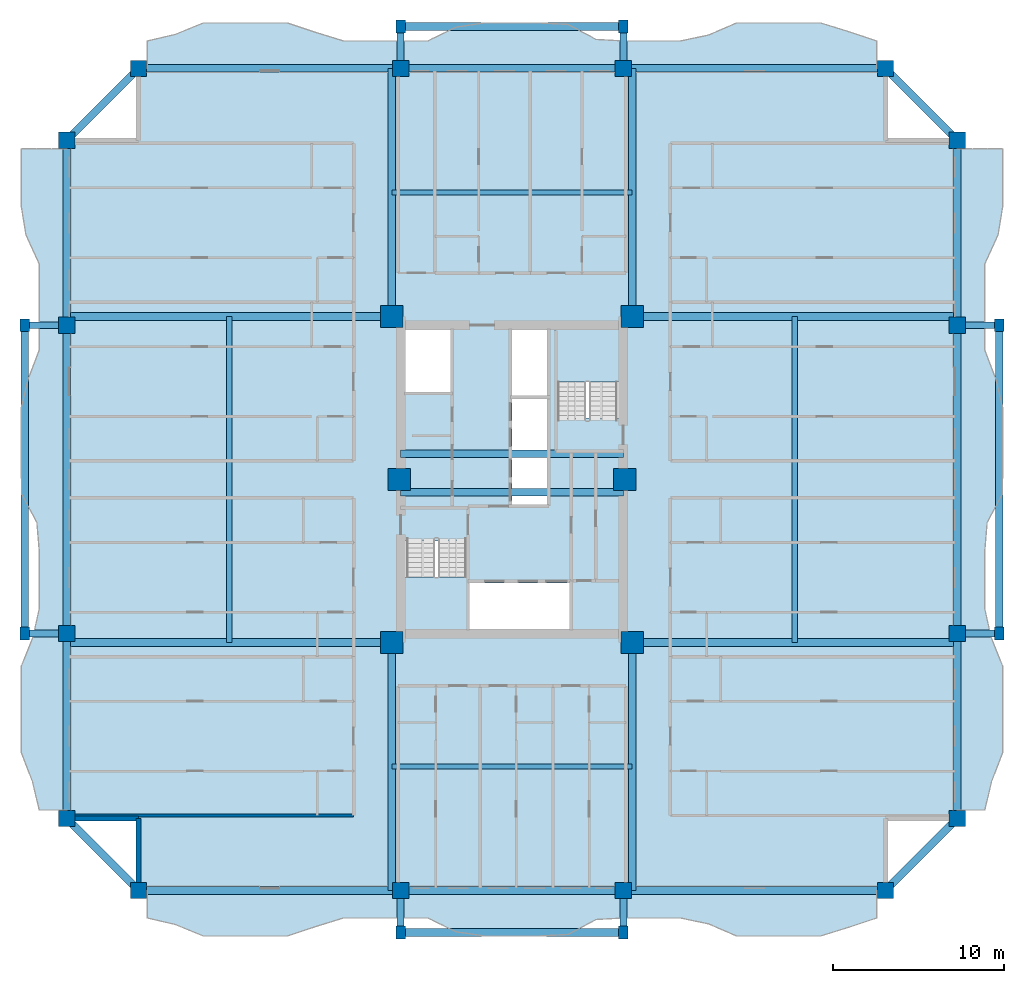
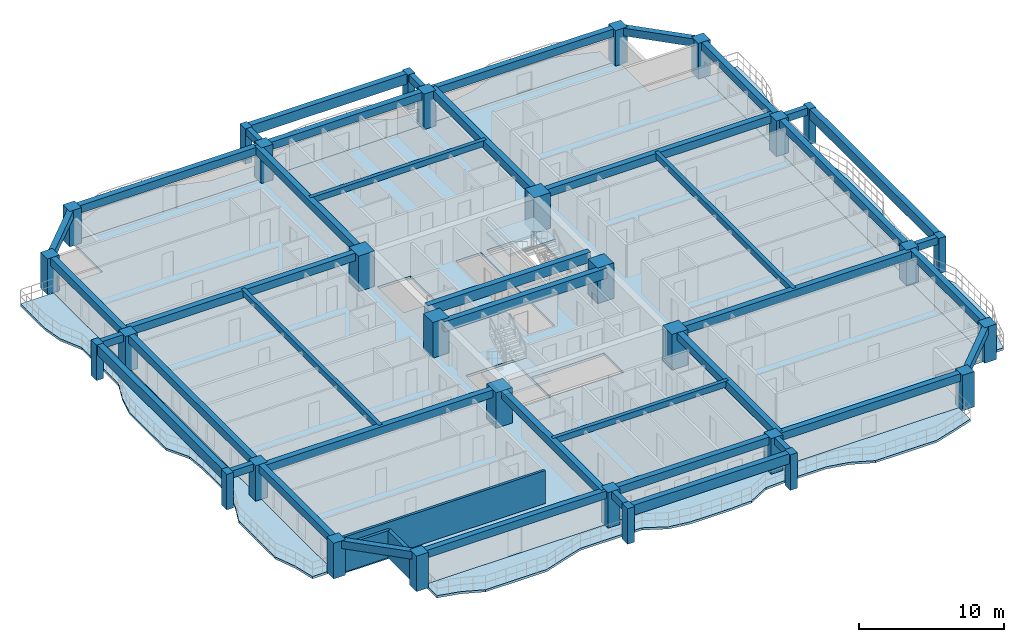
# One storey, part 1 of 13: 42 beams, 30 columns, 7 slabs, 3 walls, 2 elements without a shape of their own.
"""IFC4 building model written with IfcOpenShell, lengths in metres."""

from ifc_helpers import new_model, si_unit, direction, frame, frame_2d, origin, origin_2d, place, context, subcontext, project, spatial, polyline, rectangle, outline, extrude, source, transform, mapped, material, layer, layer_set, material_profile, profile_set, type_object, element, aggregate, save


model = new_model("IFC4")

# Units and contexts
model_context = context("Model", 3, precision=1e-05, world=origin(), true_north=direction((0.0, 1.0)))
body_context = subcontext(model_context, "Body", "Model", "MODEL_VIEW")
ifc_project = project(units=[si_unit("LENGTHUNIT", "METRE"), si_unit("AREAUNIT", "SQUARE_METRE"), si_unit("VOLUMEUNIT", "CUBIC_METRE"), si_unit("PLANEANGLEUNIT", "RADIAN"), si_unit("MASSUNIT", "GRAM", prefix="KILO")], contexts=[model_context])

# Site, building, storey
site_placement = place(None, origin())
site = spatial("IfcSite", under=ifc_project, at=site_placement, CompositionType="ELEMENT")
building_placement = place(site_placement, origin())
building = spatial("IfcBuilding", under=site, at=building_placement, Name="Saelheon Loggia Tower", CompositionType="ELEMENT")
storey_placement = place(building_placement, frame((0.0, 0.0, 110.85009765625)))
storey = spatial("IfcBuildingStorey", under=building, at=storey_placement, Name="L35", CompositionType="ELEMENT", Elevation=110.85009765625)

# Columns
ifc_material_1 = material(Name="Precast Concrete C45/55", Category="concrete")
ifc_material_profile_1 = material_profile(ifc_material_1, rectangle(XDim=0.550048828125, YDim=0.75, at=origin_2d()), Name="RC-550x750")
ifc_profile_set_1 = profile_set([ifc_material_profile_1], Name="Precast Concrete C45/55")
column_type_1 = type_object("IfcColumnType", Name="Col_Loggia_Pilaster_750", PredefinedType="PILASTER", material=ifc_profile_set_1)
shared_shape_1 = source(origin(), body_context, "Body", "SweptSolid", [
    extrude(rectangle(XDim=0.550048828125, YDim=0.75, at=origin_2d()), origin(), (0.0, 0.0, 1.0), 3.0),
])
for number, where, z_axis, x_axis, name in (
    (1, (31.5, 0.550048828125, 0.0), (0.0, 0.0, 1.0), (1.0, 0.0, 0.0), "L35 Loggia Frame Pilaster LP-S1"),
    (2, (44.5, 0.550048828125, 0.0), (0.0, 0.0, 1.0), (1.0, 0.0, 0.0), "L35 Loggia Frame Pilaster LP-S2"),
    (3, (31.5, 53.449951171875, 0.0), (0.0, 0.0, 1.0), (1.0, 0.0, 0.0), "L35 Loggia Frame Pilaster LP-N1"),
    (4, (44.5, 53.449951171875, 0.0), (0.0, 0.0, 1.0), (1.0, 0.0, 0.0), "L35 Loggia Frame Pilaster LP-N2"),
    (5, (66.449951171875, 18.0, 0.0), (0.0, 0.0, 1.0), (1.0, 0.0, 0.0), "L35 Loggia Frame Pilaster LP-E1"),
    (6, (66.449951171875, 36.0, 0.0), (0.0, 0.0, 1.0), (1.0, 0.0, 0.0), "L35 Loggia Frame Pilaster LP-E2"),
    (7, (9.550048828125, 18.0, 0.0), (0.0, 0.0, 1.0), (1.0, 0.0, 0.0), "L35 Loggia Frame Pilaster LP-W1"),
    (8, (9.550048828125, 36.0, 0.0), (0.0, 0.0, 1.0), (1.0, 0.0, 0.0), "L35 Loggia Frame Pilaster LP-W2"),
):
    element("IfcColumn", number, at=place(storey_placement, frame(where, z_axis=z_axis, x_axis=x_axis)), inside=storey, type_object=column_type_1, Name=name, PredefinedType="PILASTER", context=body_context, shape_type="MappedRepresentation", body=[
        mapped(shared_shape_1, transform((0.0, 0.0, 0.0), scale=1.0)),
    ])
ifc_material_2 = material(Name="Concrete C60/75", Category="concrete")
ifc_material_profile_2 = material_profile(ifc_material_2, rectangle(XDim=1.300048828125, YDim=1.300048828125, at=origin_2d()), Name="RC-1300x1300")
ifc_profile_set_2 = profile_set([ifc_material_profile_2], Name="Concrete C60/75")
column_type_2 = type_object("IfcColumnType", Name="Col_Core_RC1300", PredefinedType="COLUMN", material=ifc_profile_set_2)
shared_shape_2 = source(origin(), body_context, "Body", "SweptSolid", [
    extrude(rectangle(XDim=1.300048828125, YDim=1.300048828125, at=origin_2d()), origin(), (0.0, 0.0, 1.0), 3.0),
])
for number, where, z_axis, x_axis, name in (
    (9, (30.97998046875, 17.47998046875, 0.0), (0.0, 0.0, 1.0), (1.0, 0.0, 0.0), "L35 Core Column CR-SW"),
    (10, (45.02001953125, 17.47998046875, 0.0), (0.0, 0.0, 1.0), (1.0, 0.0, 0.0), "L35 Core Column CR-SE"),
    (11, (30.97998046875, 36.52001953125, 0.0), (0.0, 0.0, 1.0), (1.0, 0.0, 0.0), "L35 Core Column CR-NW"),
    (12, (45.02001953125, 36.52001953125, 0.0), (0.0, 0.0, 1.0), (1.0, 0.0, 0.0), "L35 Core Column CR-NE"),
    (13, (31.419921875, 27.0, 0.0), (0.0, 0.0, 1.0), (1.0, 0.0, 0.0), "L35 Core Column CR-MW"),
    (14, (44.580078125, 27.0, 0.0), (0.0, 0.0, 1.0), (1.0, 0.0, 0.0), "L35 Core Column CR-ME"),
):
    element("IfcColumn", number, at=place(storey_placement, frame(where, z_axis=z_axis, x_axis=x_axis)), inside=storey, type_object=column_type_2, Name=name, PredefinedType="COLUMN", context=body_context, shape_type="MappedRepresentation", body=[
        mapped(shared_shape_2, transform((0.0, 0.0, 0.0), scale=1.0)),
    ])
ifc_material_3 = material(Name="Concrete C50/60", Category="concrete")
ifc_material_profile_3 = material_profile(ifc_material_3, rectangle(XDim=0.949951171875, YDim=0.949951171875, at=origin_2d()), Name="RC-950x950")
ifc_profile_set_3 = profile_set([ifc_material_profile_3], Name="Concrete C50/60")
column_type_3 = type_object("IfcColumnType", Name="Col_Perim_RC950", PredefinedType="COLUMN", material=ifc_profile_set_3)
shared_shape_3 = source(origin(), body_context, "Body", "SweptSolid", [
    extrude(rectangle(XDim=0.949951171875, YDim=0.949951171875, at=origin_2d()), origin(), (0.0, 0.0, 1.0), 3.0),
])
for number, where, z_axis, x_axis, name in (
    (15, (16.199951171875, 3.0, 0.0), (0.0, 0.0, 1.0), (1.0, 0.0, 0.0), "L35 Perimeter Column TP-S1"),
    (16, (31.5, 3.0, 0.0), (0.0, 0.0, 1.0), (1.0, 0.0, 0.0), "L35 Perimeter Column TP-SA"),
    (17, (44.5, 3.0, 0.0), (0.0, 0.0, 1.0), (1.0, 0.0, 0.0), "L35 Perimeter Column TP-SB"),
    (18, (59.800048828125, 3.0, 0.0), (0.0, 0.0, 1.0), (1.0, 0.0, 0.0), "L35 Perimeter Column TP-S2"),
    (19, (64.0, 7.199951171875, 0.0), (0.0, 0.0, 1.0), (1.0, 0.0, 0.0), "L35 Perimeter Column TP-E1"),
    (20, (64.0, 18.0, 0.0), (0.0, 0.0, 1.0), (1.0, 0.0, 0.0), "L35 Perimeter Column TP-EA"),
    (21, (64.0, 36.0, 0.0), (0.0, 0.0, 1.0), (1.0, 0.0, 0.0), "L35 Perimeter Column TP-EB"),
    (22, (64.0, 46.800048828125, 0.0), (0.0, 0.0, 1.0), (1.0, 0.0, 0.0), "L35 Perimeter Column TP-E2"),
    (23, (59.800048828125, 51.0, 0.0), (0.0, 0.0, 1.0), (1.0, 0.0, 0.0), "L35 Perimeter Column TP-N2"),
    (24, (44.5, 51.0, 0.0), (0.0, 0.0, 1.0), (1.0, 0.0, 0.0), "L35 Perimeter Column TP-NB"),
    (25, (31.5, 51.0, 0.0), (0.0, 0.0, 1.0), (1.0, 0.0, 0.0), "L35 Perimeter Column TP-NA"),
    (26, (16.199951171875, 51.0, 0.0), (0.0, 0.0, 1.0), (1.0, 0.0, 0.0), "L35 Perimeter Column TP-N1"),
    (27, (12.0, 46.800048828125, 0.0), (0.0, 0.0, 1.0), (1.0, 0.0, 0.0), "L35 Perimeter Column TP-W2"),
    (28, (12.0, 36.0, 0.0), (0.0, 0.0, 1.0), (1.0, 0.0, 0.0), "L35 Perimeter Column TP-WB"),
    (29, (12.0, 18.0, 0.0), (0.0, 0.0, 1.0), (1.0, 0.0, 0.0), "L35 Perimeter Column TP-WA"),
    (30, (12.0, 7.199951171875, 0.0), (0.0, 0.0, 1.0), (1.0, 0.0, 0.0), "L35 Perimeter Column TP-W1"),
):
    element("IfcColumn", number, at=place(storey_placement, frame(where, z_axis=z_axis, x_axis=x_axis)), inside=storey, type_object=column_type_3, Name=name, PredefinedType="COLUMN", context=body_context, shape_type="MappedRepresentation", body=[
        mapped(shared_shape_3, transform((0.0, 0.0, 0.0), scale=1.0)),
    ])

# Beams
ifc_material_profile_4 = material_profile(ifc_material_3, rectangle(XDim=0.449951171875, YDim=0.85009765625, at=origin_2d()), Name="RC-450x850")
ifc_profile_set_4 = profile_set([ifc_material_profile_4], Name="Concrete C50/60")
beam_type_1 = type_object("IfcBeamType", Name="Beam_CoreLintel_RC450x850", PredefinedType="LINTEL", material=ifc_profile_set_4)
shared_shape_4 = source(origin(), body_context, "Body", "SweptSolid", [
    extrude(rectangle(XDim=0.449951171875, YDim=0.85009765625, at=origin_2d()), origin(), (0.0, 0.0, 1.0), 13.0),
])
for number, where, z_axis, x_axis, name in (
    (31, (31.5, 26.25, 2.574951171875), (1.0, 0.0, 0.0), (0.0, 1.0, 0.0), "L35 Core Coupling Lintel 1"),
    (32, (31.5, 28.5, 2.574951171875), (1.0, 0.0, 0.0), (0.0, 1.0, 0.0), "L35 Core Coupling Lintel 2"),
):
    element("IfcBeam", number, at=place(storey_placement, frame(where, z_axis=z_axis, x_axis=x_axis)), inside=storey, type_object=beam_type_1, Name=name, PredefinedType="LINTEL", context=body_context, shape_type="MappedRepresentation", body=[
        mapped(shared_shape_4, transform((0.0, 0.0, 0.0), scale=1.0)),
    ])
ifc_material_profile_5 = material_profile(ifc_material_1, rectangle(XDim=0.449951171875, YDim=0.85009765625, at=origin_2d()), Name="RC-450x850")
ifc_profile_set_5 = profile_set([ifc_material_profile_5], Name="Precast Concrete C45/55")
beam_type_2 = type_object("IfcBeamType", Name="Beam_LoggiaSpandrel_RC450x850", PredefinedType="SPANDREL", material=ifc_profile_set_5)
for number, where, z_axis, x_axis, name in (
    (33, (31.5, 0.550048828125, 2.574951171875), (1.0, 0.0, 0.0), (0.0, 1.0, 0.0), "L35 Loggia Spandrel Beam S"),
    (34, (31.5, 53.449951171875, 2.574951171875), (1.0, 0.0, 0.0), (0.0, 1.0, 0.0), "L35 Loggia Spandrel Beam N"),
):
    element("IfcBeam", number, at=place(storey_placement, frame(where, z_axis=z_axis, x_axis=x_axis)), inside=storey, type_object=beam_type_2, Name=name, PredefinedType="SPANDREL", context=body_context, shape_type="MappedRepresentation", body=[
        mapped(shared_shape_4, transform((0.0, 0.0, 0.0), scale=1.0)),
    ])
ifc_material_profile_6 = material_profile(ifc_material_1, rectangle(XDim=0.39990234375, YDim=0.60009765625, at=origin_2d()), Name="RC-400x600")
ifc_profile_set_6 = profile_set([ifc_material_profile_6], Name="Precast Concrete C45/55")
beam_type_3 = type_object("IfcBeamType", Name="Beam_LoggiaTie_RC400x600", PredefinedType="BEAM", material=ifc_profile_set_6)
shared_shape_5 = source(origin(), body_context, "Body", "SweptSolid", [
    extrude(rectangle(XDim=0.39990234375, YDim=0.60009765625, at=origin_2d()), origin(), (0.0, 0.0, 1.0), 2.449951171875),
])
for number, where, z_axis, x_axis, name in (
    (35, (31.5, 3.0, 2.699951171875), (0.0, -1.0, 0.0), (1.0, 0.0, 0.0), "L35 Loggia Frame Tie Beam LP-S1"),
    (36, (44.5, 3.0, 2.699951171875), (0.0, -1.0, 0.0), (1.0, 0.0, 0.0), "L35 Loggia Frame Tie Beam LP-S2"),
    (37, (31.5, 51.0, 2.699951171875), (0.0, 1.0, 0.0), (-1.0, 0.0, 0.0), "L35 Loggia Frame Tie Beam LP-N1"),
    (38, (44.5, 51.0, 2.699951171875), (0.0, 1.0, 0.0), (-1.0, 0.0, 0.0), "L35 Loggia Frame Tie Beam LP-N2"),
    (39, (64.0, 18.0, 2.699951171875), (1.0, 0.0, 0.0), (0.0, 1.0, 0.0), "L35 Loggia Frame Tie Beam LP-E1"),
    (40, (64.0, 36.0, 2.699951171875), (1.0, 0.0, 0.0), (0.0, 1.0, 0.0), "L35 Loggia Frame Tie Beam LP-E2"),
    (41, (12.0, 18.0, 2.699951171875), (-1.0, 0.0, 0.0), (0.0, -1.0, 0.0), "L35 Loggia Frame Tie Beam LP-W1"),
    (42, (12.0, 36.0, 2.699951171875), (-1.0, 0.0, 0.0), (0.0, -1.0, 0.0), "L35 Loggia Frame Tie Beam LP-W2"),
):
    element("IfcBeam", number, at=place(storey_placement, frame(where, z_axis=z_axis, x_axis=x_axis)), inside=storey, type_object=beam_type_3, Name=name, PredefinedType="BEAM", context=body_context, shape_type="MappedRepresentation", body=[
        mapped(shared_shape_5, transform((0.0, 0.0, 0.0), scale=1.0)),
    ])
shared_shape_6 = source(origin(), body_context, "Body", "SweptSolid", [
    extrude(rectangle(XDim=0.449951171875, YDim=0.85009765625, at=origin_2d()), origin(), (0.0, 0.0, 1.0), 18.0),
])
for number, where, z_axis, x_axis, name in (
    (43, (66.449951171875, 18.0, 2.574951171875), (0.0, 1.0, 0.0), (-1.0, 0.0, 0.0), "L35 Loggia Spandrel Beam E"),
    (44, (9.550048828125, 18.0, 2.574951171875), (0.0, 1.0, 0.0), (-1.0, 0.0, 0.0), "L35 Loggia Spandrel Beam W"),
):
    element("IfcBeam", number, at=place(storey_placement, frame(where, z_axis=z_axis, x_axis=x_axis)), inside=storey, type_object=beam_type_2, Name=name, PredefinedType="SPANDREL", context=body_context, shape_type="MappedRepresentation", body=[
        mapped(shared_shape_6, transform((0.0, 0.0, 0.0), scale=1.0)),
    ])
ifc_material_4 = material(Name="Concrete C40/50", Category="concrete")
ifc_material_profile_7 = material_profile(ifc_material_4, rectangle(XDim=0.449951171875, YDim=0.64990234375, at=origin_2d()), Name="RC-450x650")
ifc_profile_set_7 = profile_set([ifc_material_profile_7], Name="Concrete C40/50")
beam_type_4 = type_object("IfcBeamType", Name="Beam_PerimTower_RC450x650", PredefinedType="BEAM", material=ifc_profile_set_7)
shared_shape_7 = source(origin(), body_context, "Body", "SweptSolid", [
    extrude(rectangle(XDim=0.449951171875, YDim=0.64990234375, at=origin_2d()), origin(), (0.0, 0.0, 1.0), 15.300048828125),
])
for number, where, z_axis, x_axis, name in (
    (45, (16.199951171875, 3.0, 2.6748046875), (1.0, 0.0, 0.0), (0.0, 1.0, 0.0), "L35 Perimeter Frame Girder 01"),
    (46, (44.5, 3.0, 2.6748046875), (1.0, 0.0, 0.0), (0.0, 1.0, 0.0), "L35 Perimeter Frame Girder 03"),
    (47, (59.800048828125, 51.0, 2.6748046875), (-1.0, 0.0, 0.0), (0.0, -1.0, 0.0), "L35 Perimeter Frame Girder 09"),
    (48, (31.5, 51.0, 2.6748046875), (-1.0, 0.0, 0.0), (0.0, -1.0, 0.0), "L35 Perimeter Frame Girder 11"),
):
    element("IfcBeam", number, at=place(storey_placement, frame(where, z_axis=z_axis, x_axis=x_axis)), inside=storey, type_object=beam_type_4, Name=name, PredefinedType="BEAM", context=body_context, shape_type="MappedRepresentation", body=[
        mapped(shared_shape_7, transform((0.0, 0.0, 0.0), scale=1.0)),
    ])
shared_shape_8 = source(origin(), body_context, "Body", "SweptSolid", [
    extrude(rectangle(XDim=0.449951171875, YDim=0.64990234375, at=origin_2d()), origin(), (0.0, 0.0, 1.0), 13.0),
])
for number, where, z_axis, x_axis, name in (
    (49, (31.5, 3.0, 2.6748046875), (1.0, 0.0, 0.0), (0.0, 1.0, 0.0), "L35 Perimeter Frame Girder 02"),
    (50, (44.5, 51.0, 2.6748046875), (-1.0, 0.0, 0.0), (0.0, -1.0, 0.0), "L35 Perimeter Frame Girder 10"),
):
    element("IfcBeam", number, at=place(storey_placement, frame(where, z_axis=z_axis, x_axis=x_axis)), inside=storey, type_object=beam_type_4, Name=name, PredefinedType="BEAM", context=body_context, shape_type="MappedRepresentation", body=[
        mapped(shared_shape_8, transform((0.0, 0.0, 0.0), scale=1.0)),
    ])
shared_shape_9 = source(origin(), body_context, "Body", "SweptSolid", [
    extrude(rectangle(XDim=0.449951171875, YDim=0.64990234375, at=origin_2d()), origin(), (0.0, 0.0, 1.0), 5.939697265625),
])
for number, where, z_axis, x_axis, name in (
    (51, (59.800048828125, 3.0, 2.6748046875), (0.707106781187, 0.707106781187, 0.0), (-0.707106781187, 0.707106781187, 0.0), "L35 Perimeter Frame Girder 04"),
    (52, (64.0, 46.800048828125, 2.6748046875), (-0.707106781187, 0.707106781187, 0.0), (-0.707106781187, -0.707106781187, 0.0), "L35 Perimeter Frame Girder 08"),
    (53, (16.199951171875, 51.0, 2.6748046875), (-0.707106781187, -0.707106781187, 0.0), (0.707106781187, -0.707106781187, 0.0), "L35 Perimeter Frame Girder 12"),
    (54, (12.0, 7.199951171875, 2.6748046875), (0.707106781187, -0.707106781187, 0.0), (0.707106781187, 0.707106781187, 0.0), "L35 Perimeter Frame Girder 16"),
):
    element("IfcBeam", number, at=place(storey_placement, frame(where, z_axis=z_axis, x_axis=x_axis)), inside=storey, type_object=beam_type_4, Name=name, PredefinedType="BEAM", context=body_context, shape_type="MappedRepresentation", body=[
        mapped(shared_shape_9, transform((0.0, 0.0, 0.0), scale=1.0)),
    ])
shared_shape_10 = source(origin(), body_context, "Body", "SweptSolid", [
    extrude(rectangle(XDim=0.449951171875, YDim=0.64990234375, at=origin_2d()), origin(), (0.0, 0.0, 1.0), 10.800048828125),
])
for number, where, z_axis, x_axis, name in (
    (55, (64.0, 7.199951171875, 2.6748046875), (0.0, 1.0, 0.0), (-1.0, 0.0, 0.0), "L35 Perimeter Frame Girder 05"),
    (56, (64.0, 36.0, 2.6748046875), (0.0, 1.0, 0.0), (-1.0, 0.0, 0.0), "L35 Perimeter Frame Girder 07"),
    (57, (12.0, 46.800048828125, 2.6748046875), (0.0, -1.0, 0.0), (1.0, 0.0, 0.0), "L35 Perimeter Frame Girder 13"),
    (58, (12.0, 18.0, 2.6748046875), (0.0, -1.0, 0.0), (1.0, 0.0, 0.0), "L35 Perimeter Frame Girder 15"),
):
    element("IfcBeam", number, at=place(storey_placement, frame(where, z_axis=z_axis, x_axis=x_axis)), inside=storey, type_object=beam_type_4, Name=name, PredefinedType="BEAM", context=body_context, shape_type="MappedRepresentation", body=[
        mapped(shared_shape_10, transform((0.0, 0.0, 0.0), scale=1.0)),
    ])
shared_shape_11 = source(origin(), body_context, "Body", "SweptSolid", [
    extrude(rectangle(XDim=0.449951171875, YDim=0.64990234375, at=origin_2d()), origin(), (0.0, 0.0, 1.0), 18.0),
])
for number, where, z_axis, x_axis, name in (
    (59, (64.0, 18.0, 2.6748046875), (0.0, 1.0, 0.0), (-1.0, 0.0, 0.0), "L35 Perimeter Frame Girder 06"),
    (60, (12.0, 36.0, 2.6748046875), (0.0, -1.0, 0.0), (1.0, 0.0, 0.0), "L35 Perimeter Frame Girder 14"),
):
    element("IfcBeam", number, at=place(storey_placement, frame(where, z_axis=z_axis, x_axis=x_axis)), inside=storey, type_object=beam_type_4, Name=name, PredefinedType="BEAM", context=body_context, shape_type="MappedRepresentation", body=[
        mapped(shared_shape_11, transform((0.0, 0.0, 0.0), scale=1.0)),
    ])
ifc_material_profile_8 = material_profile(ifc_material_4, rectangle(XDim=0.449951171875, YDim=0.64990234375, at=origin_2d()), Name="RC-450x650")
ifc_profile_set_8 = profile_set([ifc_material_profile_8], Name="Concrete C40/50")
beam_type_5 = type_object("IfcBeamType", Name="Beam_TowerGirder_RC450x650", PredefinedType="BEAM", material=ifc_profile_set_8)
shared_shape_12 = source(origin(), body_context, "Body", "SweptSolid", [
    extrude(rectangle(XDim=0.449951171875, YDim=0.64990234375, at=origin_2d()), origin(), (0.0, 0.0, 1.0), 14.47998046875),
])
for number, where, z_axis, x_axis, name in (
    (61, (30.97998046875, 17.47998046875, 2.6748046875), (0.0, -1.0, 0.0), (1.0, 0.0, 0.0), "L35 Radial Floor Girder RAD-SW-S"),
    (62, (45.02001953125, 17.47998046875, 2.6748046875), (0.0, -1.0, 0.0), (1.0, 0.0, 0.0), "L35 Radial Floor Girder RAD-SE-S"),
    (63, (30.97998046875, 36.52001953125, 2.6748046875), (0.0, 1.0, 0.0), (-1.0, 0.0, 0.0), "L35 Radial Floor Girder RAD-NW-N"),
    (64, (45.02001953125, 36.52001953125, 2.6748046875), (0.0, 1.0, 0.0), (-1.0, 0.0, 0.0), "L35 Radial Floor Girder RAD-NE-N"),
):
    element("IfcBeam", number, at=place(storey_placement, frame(where, z_axis=z_axis, x_axis=x_axis)), inside=storey, type_object=beam_type_5, Name=name, PredefinedType="BEAM", context=body_context, shape_type="MappedRepresentation", body=[
        mapped(shared_shape_12, transform((0.0, 0.0, 0.0), scale=1.0)),
    ])
shared_shape_13 = source(origin(), body_context, "Body", "SweptSolid", [
    extrude(rectangle(XDim=0.449951171875, YDim=0.64990234375, at=origin_2d()), origin(), (0.0, 0.0, 1.0), 18.97998046875),
])
for number, where, z_axis, x_axis, name in (
    (65, (30.97998046875, 17.47998046875, 2.6748046875), (-1.0, 0.0, 0.0), (0.0, -1.0, 0.0), "L35 Radial Floor Girder RAD-SW-W"),
    (66, (30.97998046875, 36.52001953125, 2.6748046875), (-1.0, 0.0, 0.0), (0.0, -1.0, 0.0), "L35 Radial Floor Girder RAD-NW-W"),
    (67, (45.02001953125, 17.47998046875, 2.6748046875), (1.0, 0.0, 0.0), (0.0, 1.0, 0.0), "L35 Radial Floor Girder RAD-SE-E"),
    (68, (45.02001953125, 36.52001953125, 2.6748046875), (1.0, 0.0, 0.0), (0.0, 1.0, 0.0), "L35 Radial Floor Girder RAD-NE-E"),
):
    element("IfcBeam", number, at=place(storey_placement, frame(where, z_axis=z_axis, x_axis=x_axis)), inside=storey, type_object=beam_type_5, Name=name, PredefinedType="BEAM", context=body_context, shape_type="MappedRepresentation", body=[
        mapped(shared_shape_13, transform((0.0, 0.0, 0.0), scale=1.0)),
    ])
ifc_material_profile_9 = material_profile(ifc_material_4, rectangle(XDim=0.300048828125, YDim=0.5, at=origin_2d()), Name="RC-300x500")
ifc_profile_set_9 = profile_set([ifc_material_profile_9], Name="Concrete C40/50")
beam_type_6 = type_object("IfcBeamType", Name="Beam_Joist_RC300x500", PredefinedType="JOIST", material=ifc_profile_set_9)
shared_shape_14 = source(origin(), body_context, "Body", "SweptSolid", [
    extrude(rectangle(XDim=0.300048828125, YDim=0.5, at=origin_2d()), origin(), (0.0, 0.0, 1.0), 14.0400390625),
])
for number, where, z_axis, x_axis, name in (
    (69, (30.97998046875, 10.239990234375, 2.75), (1.0, 0.0, 0.0), (0.0, 1.0, 0.0), "L35 South Floor Joist"),
    (70, (30.97998046875, 43.760009765625, 2.75), (1.0, 0.0, 0.0), (0.0, 1.0, 0.0), "L35 North Floor Joist"),
):
    element("IfcBeam", number, at=place(storey_placement, frame(where, z_axis=z_axis, x_axis=x_axis)), inside=storey, type_object=beam_type_6, Name=name, PredefinedType="JOIST", context=body_context, shape_type="MappedRepresentation", body=[
        mapped(shared_shape_14, transform((0.0, 0.0, 0.0), scale=1.0)),
    ])
shared_shape_15 = source(origin(), body_context, "Body", "SweptSolid", [
    extrude(rectangle(XDim=0.300048828125, YDim=0.5, at=origin_2d()), origin(), (0.0, 0.0, 1.0), 19.0400390625),
])
for number, where, z_axis, x_axis, name in (
    (71, (21.489990234375, 17.47998046875, 2.75), (0.0, 1.0, 0.0), (-1.0, 0.0, 0.0), "L35 West Floor Joist"),
    (72, (54.510009765625, 17.47998046875, 2.75), (0.0, 1.0, 0.0), (-1.0, 0.0, 0.0), "L35 East Floor Joist"),
):
    element("IfcBeam", number, at=place(storey_placement, frame(where, z_axis=z_axis, x_axis=x_axis)), inside=storey, type_object=beam_type_6, Name=name, PredefinedType="JOIST", context=body_context, shape_type="MappedRepresentation", body=[
        mapped(shared_shape_15, transform((0.0, 0.0, 0.0), scale=1.0)),
    ])

# Slabs
ifc_layer_1 = layer(ifc_material_1, 0.18994140625)
ifc_layer_set_1 = layer_set([ifc_layer_1], Name="Precast Concrete C45/55")
slab_type_1 = type_object("IfcSlabType", Name="Slab_Loggia_Ext_190", PredefinedType="FLOOR", material=ifc_layer_set_1)
slab_1_placement = place(storey_placement, frame((0.0, 0.0, -0.190185546875)))
element("IfcSlab", 73, at=slab_1_placement, inside=storey, type_object=slab_type_1, Name="L35 Loggia Balcony Slab S", PredefinedType="FLOOR", context=body_context, shape_type="SweptSolid", body=[
    extrude(outline(polyline([(16.699951171875, 1.39990234375), (18.33837890625, 1.01904296875), (19.976806640625, 0.35009765625), (21.615478515625, 0.35009765625), (23.25390625, 0.35009765625), (24.892333984375, 0.35009765625), (26.53076171875, 0.893798828125), (28.169189453125, 1.39990234375), (29.8076171875, 1.39990234375), (31.4462890625, 1.39990234375), (33.084716796875, 1.39990234375), (34.72314453125, 0.59423828125), (36.361572265625, 0.35009765625), (38.0, 0.35009765625), (39.638427734375, 0.35009765625), (41.27685546875, 0.436279296875), (42.915283203125, 1.31103515625), (44.5537109375, 1.39990234375), (46.1923828125, 1.39990234375), (47.830810546875, 1.39990234375), (49.46923828125, 1.05615234375), (51.107666015625, 0.35009765625), (52.74609375, 0.35009765625), (54.384521484375, 0.35009765625), (56.023193359375, 0.35009765625), (57.66162109375, 0.856201171875), (59.300048828125, 1.39990234375), (59.300048828125, 3.0), (16.699951171875, 3.0), (16.699951171875, 1.39990234375)])), origin(), (0.0, 0.0, 1.0), 0.190185546875),
])
slab_2_placement = place(storey_placement, frame((0.0, 0.0, -0.190185546875)))
element("IfcSlab", 74, at=slab_2_placement, inside=storey, type_object=slab_type_1, Name="L35 Loggia Balcony Slab N", PredefinedType="FLOOR", context=body_context, shape_type="SweptSolid", body=[
    extrude(outline(polyline([(16.699951171875, 51.0), (59.300048828125, 51.0), (59.300048828125, 52.60009765625), (57.66162109375, 53.143798828125), (56.023193359375, 53.64990234375), (54.384521484375, 53.64990234375), (52.74609375, 53.64990234375), (51.107666015625, 53.64990234375), (49.46923828125, 52.94384765625), (47.830810546875, 52.60009765625), (46.1923828125, 52.60009765625), (44.5537109375, 52.60009765625), (42.915283203125, 52.68896484375), (41.27685546875, 53.563720703125), (39.638427734375, 53.64990234375), (38.0, 53.64990234375), (36.361572265625, 53.64990234375), (34.72314453125, 53.40576171875), (33.084716796875, 52.60009765625), (31.4462890625, 52.60009765625), (29.8076171875, 52.60009765625), (28.169189453125, 52.60009765625), (26.53076171875, 53.106201171875), (24.892333984375, 53.64990234375), (23.25390625, 53.64990234375), (21.615478515625, 53.64990234375), (19.976806640625, 53.64990234375), (18.33837890625, 52.98095703125), (16.699951171875, 52.60009765625), (16.699951171875, 51.0)])), origin(), (0.0, 0.0, 1.0), 0.190185546875),
])
slab_3_placement = place(storey_placement, frame((0.0, 0.0, -0.190185546875)))
element("IfcSlab", 75, at=slab_3_placement, inside=storey, type_object=slab_type_1, Name="L35 Loggia Balcony Slab E", PredefinedType="FLOOR", context=body_context, shape_type="SweptSolid", body=[
    extrude(outline(polyline([(64.0, 7.699951171875), (65.60009765625, 7.699951171875), (66.00244140625, 9.37841796875), (66.64990234375, 11.056396484375), (66.64990234375, 12.73486328125), (66.64990234375, 14.4130859375), (66.64990234375, 16.09130859375), (65.976806640625, 17.76953125), (65.60009765625, 19.44775390625), (65.60009765625, 21.126220703125), (65.60009765625, 22.80419921875), (65.739501953125, 24.482666015625), (66.63427734375, 26.160888671875), (66.64990234375, 27.839111328125), (66.64990234375, 29.517333984375), (66.64990234375, 31.19580078125), (66.24560546875, 32.873779296875), (65.60009765625, 34.55224609375), (65.60009765625, 36.23046875), (65.60009765625, 37.90869140625), (65.60009765625, 39.5869140625), (66.374755859375, 41.26513671875), (66.64990234375, 42.943603515625), (66.64990234375, 44.62158203125), (66.64990234375, 46.300048828125), (64.0, 46.300048828125), (64.0, 7.699951171875)])), origin(), (0.0, 0.0, 1.0), 0.190185546875),
])
slab_4_placement = place(storey_placement, frame((0.0, 0.0, -0.190185546875)))
element("IfcSlab", 76, at=slab_4_placement, inside=storey, type_object=slab_type_1, Name="L35 Loggia Balcony Slab W", PredefinedType="FLOOR", context=body_context, shape_type="SweptSolid", body=[
    extrude(outline(polyline([(12.0, 7.699951171875), (12.0, 46.300048828125), (9.35009765625, 46.300048828125), (9.35009765625, 44.62158203125), (9.35009765625, 42.943603515625), (9.625244140625, 41.26513671875), (10.39990234375, 39.5869140625), (10.39990234375, 37.90869140625), (10.39990234375, 36.23046875), (10.39990234375, 34.55224609375), (9.75439453125, 32.873779296875), (9.35009765625, 31.19580078125), (9.35009765625, 29.517333984375), (9.35009765625, 27.839111328125), (9.36572265625, 26.160888671875), (10.260498046875, 24.482666015625), (10.39990234375, 22.80419921875), (10.39990234375, 21.126220703125), (10.39990234375, 19.44775390625), (10.023193359375, 17.76953125), (9.35009765625, 16.09130859375), (9.35009765625, 14.4130859375), (9.35009765625, 12.73486328125), (9.35009765625, 11.056396484375), (9.99755859375, 9.37841796875), (10.39990234375, 7.699951171875), (12.0, 7.699951171875)])), origin(), (0.0, 0.0, 1.0), 0.190185546875),
])

# Stair, slab
stair_type = type_object("IfcStairType", Name="Stair_Escape_Core", PredefinedType="HALF_TURN_STAIR", material=ifc_material_4)
stair_1_placement = place(storey_placement, origin())
stair_1 = element("IfcStair", 77, at=stair_1_placement, inside=storey, type_object=stair_type, Name="L35 Special Escape Stair ST1", PredefinedType="HALF_TURN_STAIR")
ifc_layer_2 = layer(ifc_material_4, 0.199951171875)
ifc_layer_set_2 = layer_set([ifc_layer_2], Name="Concrete C40/50")
slab_type_2 = type_object("IfcSlabType", Name="Slab_StairLanding_ST1", PredefinedType="LANDING", material=ifc_layer_set_2)
slab_5_placement = place(storey_placement, frame((0.0, 0.0, 1.2998046875)))
slab_5 = element("IfcSlab", 78, at=slab_5_placement, type_object=slab_type_2, Name="ST1 landing 1", PredefinedType="LANDING", context=body_context, shape_type="SweptSolid", body=[
    extrude(outline(polyline([(31.7099609375, 21.31005859375), (31.7099609375, 18.2099609375), (35.469970703125, 18.2099609375), (35.469970703125, 21.31005859375), (31.7099609375, 21.31005859375)])), origin(), (0.0, 0.0, 1.0), 0.2001953125),
])
aggregate(stair_1, [slab_5])

stair_2_placement = place(storey_placement, origin())
stair_2 = element("IfcStair", 79, at=stair_2_placement, inside=storey, type_object=stair_type, Name="L35 Special Escape Stair ST2", PredefinedType="HALF_TURN_STAIR")
ifc_layer_3 = layer(ifc_material_4, 0.199951171875)
ifc_layer_set_3 = layer_set([ifc_layer_3], Name="Concrete C40/50")
slab_type_3 = type_object("IfcSlabType", Name="Slab_StairLanding_ST2", PredefinedType="LANDING", material=ifc_layer_set_3)
slab_6_placement = place(storey_placement, frame((0.0, 0.0, 1.2998046875)))
slab_6 = element("IfcSlab", 80, at=slab_6_placement, type_object=slab_type_3, Name="ST2 landing 1", PredefinedType="LANDING", context=body_context, shape_type="SweptSolid", body=[
    extrude(outline(polyline([(44.2900390625, 32.68994140625), (44.2900390625, 35.7900390625), (40.530029296875, 35.7900390625), (40.530029296875, 32.68994140625), (44.2900390625, 32.68994140625)])), origin(), (0.0, 0.0, 1.0), 0.2001953125),
])
aggregate(stair_2, [slab_6])

# Slab
ifc_layer_4 = layer(ifc_material_4, 0.2099609375)
ifc_layer_set_4 = layer_set([ifc_layer_4], Name="Concrete C40/50")
slab_type_4 = type_object("IfcSlabType", Name="Slab_Tower_210", PredefinedType="FLOOR", material=ifc_layer_set_4)
slab_7_placement = place(storey_placement, frame((0.0, 0.0, -0.210205078125)))
element("IfcSlab", 81, at=slab_7_placement, inside=storey, type_object=slab_type_4, Name="L35 Tower Floor Slab", PredefinedType="FLOOR", context=body_context, shape_type="SweptSolid", body=[
    extrude(outline(polyline([(16.199951171875, 3.0), (59.800048828125, 3.0), (59.800048828125, 7.199951171875), (64.0, 7.199951171875), (64.0, 46.800048828125), (59.800048828125, 46.800048828125), (59.800048828125, 51.0), (16.199951171875, 51.0), (16.199951171875, 46.800048828125), (12.0, 46.800048828125), (12.0, 7.199951171875), (16.199951171875, 7.199951171875), (16.199951171875, 3.0)]), holes=[polyline([(31.699951171875, 23.409912109375), (31.699951171875, 18.199951171875), (35.47998046875, 18.199951171875), (35.47998046875, 23.409912109375), (31.699951171875, 23.409912109375)]), polyline([(44.300048828125, 30.590087890625), (44.300048828125, 35.800048828125), (40.52001953125, 35.800048828125), (40.52001953125, 30.590087890625), (44.300048828125, 30.590087890625)]), polyline([(35.530029296875, 18.27490234375), (41.35009765625, 18.27490234375), (41.35009765625, 20.9599609375), (35.530029296875, 20.9599609375), (35.530029296875, 18.27490234375)]), polyline([(31.77490234375, 32.1201171875), (34.419921875, 32.1201171875), (34.419921875, 35.72509765625), (31.77490234375, 35.72509765625), (31.77490234375, 32.1201171875)]), polyline([(38.0, 31.89990234375), (40.050048828125, 31.89990234375), (40.050048828125, 35.72509765625), (38.0, 35.72509765625), (38.0, 31.89990234375)]), polyline([(38.0, 25.5400390625), (40.050048828125, 25.5400390625), (40.050048828125, 31.699951171875), (38.0, 31.699951171875), (38.0, 25.5400390625)])]), origin(), (0.0, 0.0, 1.0), 0.210205078125),
])

# Walls
ifc_material_5 = material(Name="Architectural Precast Concrete C40/50", Category="concrete")
ifc_layer_5 = layer(ifc_material_5, 0.280029296875)
ifc_layer_set_5 = layer_set([ifc_layer_5], Name="Architectural Precast Concrete C40/50")
wall_type_1 = type_object("IfcWallType", Name="Wall_Ext_Loggia_280", PredefinedType="SOLIDWALL", material=ifc_layer_set_5)
for number, where, z_axis, x_axis, name in (
    (82, (16.199951171875, 3.080078125, 0.0), (0.0, 0.0, 1.0), (0.0, 1.0, 0.0), "L35 Corner Notch Precast Wall SW1"),
    (83, (12.080078125, 7.199951171875, 0.0), (0.0, 0.0, 1.0), (1.0, 0.0, 0.0), "L35 Corner Notch Precast Wall SW2"),
):
    element("IfcWall", number, at=place(storey_placement, frame(where, z_axis=z_axis, x_axis=x_axis)), inside=storey, type_object=wall_type_1, Name=name, PredefinedType="SOLIDWALL", context=body_context, shape_type="SweptSolid", body=[
        extrude(rectangle(XDim=4.119873046875, YDim=0.280029296875, at=frame_2d((2.06005859375, 0.0))), origin(), (0.0, 0.0, 1.0), 2.27978515625),
    ])
ifc_material_6 = material(Name="Double Acoustic Stud and Fireboard Partition", Category="gypsum")
ifc_layer_6 = layer(ifc_material_6, 0.199951171875)
ifc_layer_set_6 = layer_set([ifc_layer_6], Name="Double Acoustic Stud and Fireboard Partition")
wall_type_2 = type_object("IfcWallType", Name="Wall_Party_200", PredefinedType="PARTITIONING", material=ifc_layer_set_6)
wall_placement = place(storey_placement, frame((28.75, 7.3798828125, 0.0), z_axis=(0.0, 0.0, 1.0), x_axis=(-1.0, 0.0, 0.0)))
element("IfcWall", 84, at=wall_placement, inside=storey, type_object=wall_type_2, Name="L35 WS Partition U01", PredefinedType="PARTITIONING", context=body_context, shape_type="SweptSolid", body=[
    extrude(rectangle(XDim=16.60009765625, YDim=0.199951171875, at=frame_2d((8.300048828125, 0.0))), origin(), (0.0, 0.0, 1.0), 2.789794921875),
])

save(model, "model.ifc")
